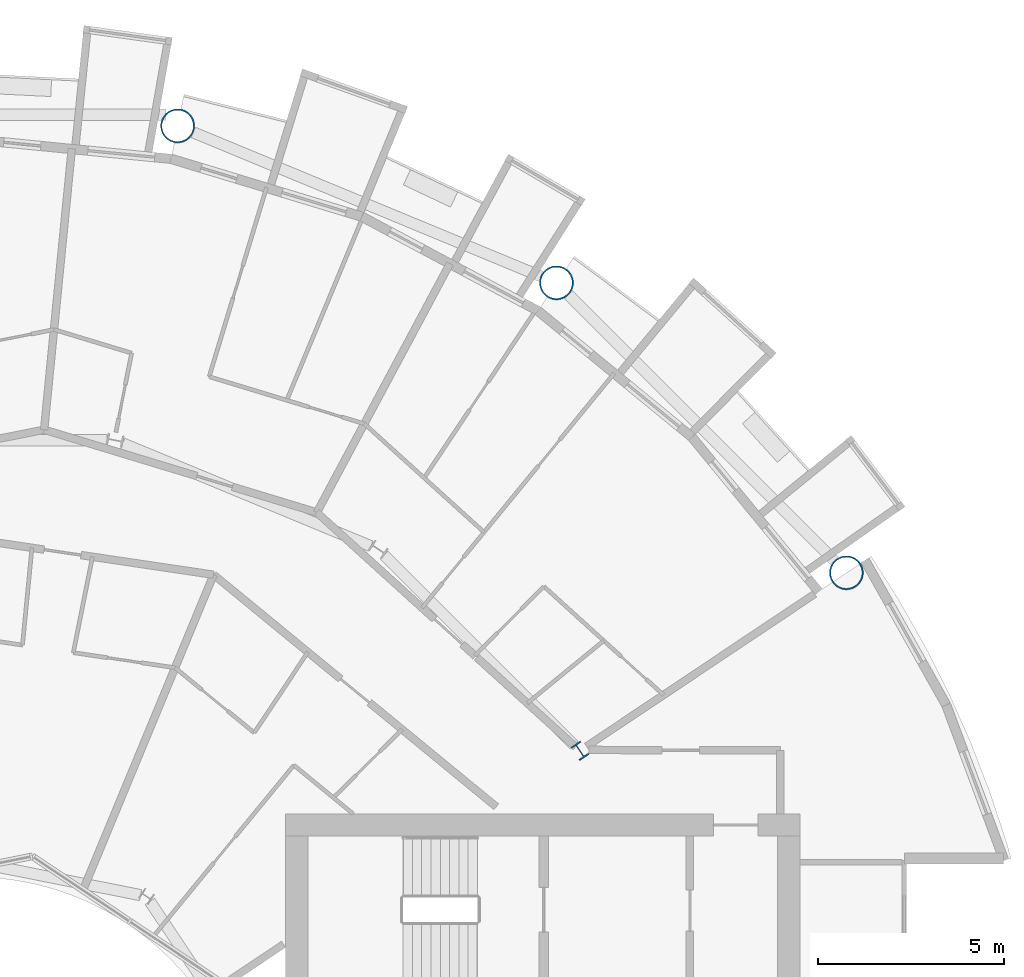
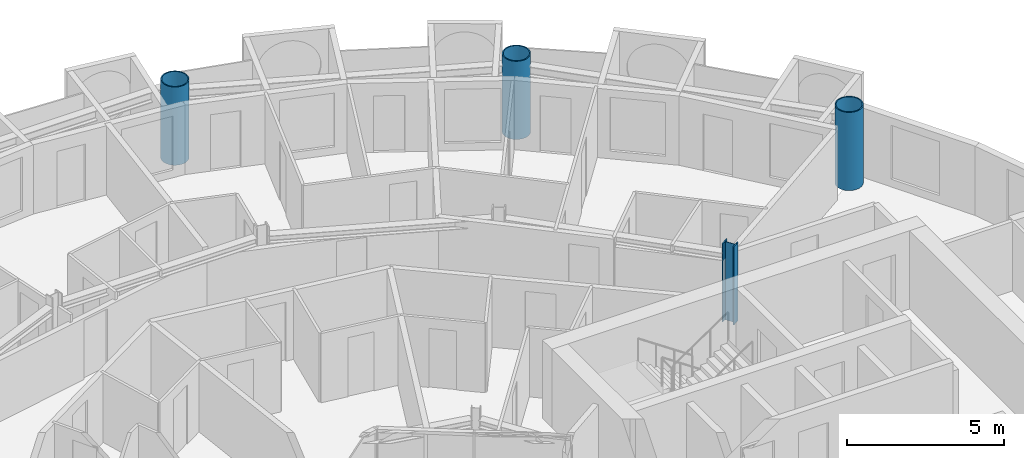
# One storey, part 4 of 28: 4 columns.
"""IFC4 building model written with IfcOpenShell, lengths in metres."""

from ifc_helpers import new_model, si_unit, direction, frame, origin, origin_2d, place, context, subcontext, project, spatial, hollow_circle, i_section, extrude, material, material_profile, profile_set, type_object, element, save


model = new_model("IFC4")

# Units and contexts
model_context = context("Model", 3, precision=1e-05, world=origin(), true_north=direction((0.0, 1.0)))
body_context = subcontext(model_context, "Body", "Model", "MODEL_VIEW")
ifc_project = project(units=[si_unit("LENGTHUNIT", "METRE"), si_unit("AREAUNIT", "SQUARE_METRE"), si_unit("VOLUMEUNIT", "CUBIC_METRE"), si_unit("PLANEANGLEUNIT", "RADIAN"), si_unit("MASSUNIT", "GRAM", prefix="KILO")], contexts=[model_context])

# Site, building, storey
site_placement = place(None, origin())
site = spatial("IfcSite", under=ifc_project, at=site_placement, CompositionType="ELEMENT")
building_placement = place(site_placement, origin())
building = spatial("IfcBuilding", under=site, at=building_placement, Name="Maasbend Ring Residences", CompositionType="ELEMENT")
storey_placement = place(building_placement, frame((0.0, 0.0, 133.0)))
storey = spatial("IfcBuildingStorey", under=building, at=storey_placement, Name="L38", CompositionType="ELEMENT", Elevation=133.0)

# Columns
ifc_material_1 = material(Name="Composite concrete-filled steel tube S460NH / C80/95", Category="concrete")
ifc_material_profile_1 = material_profile(ifc_material_1, hollow_circle(Radius=0.45703125, WallThickness=0.0400390625, at=origin_2d()), Name="Composite tube column CHS 914x40")
ifc_profile_set_1 = profile_set([ifc_material_profile_1], Name="Composite concrete-filled steel tube S460NH / C80/95")
column_type_1 = type_object("IfcColumnType", Name="Composite tube column CHS 914x40", PredefinedType="COLUMN", material=ifc_profile_set_1)
for number, where, z_axis, x_axis, name in (
    (1, (23.447509765625, 15.6669921875, 0.0), (0.0, 0.0, 1.0), (1.0, 0.0, 0.0), "Outer column R2"),
    (2, (15.6669921875, 23.447509765625, 0.0), (0.0, 0.0, 1.0), (1.0, 0.0, 0.0), "Outer column R3"),
    (3, (5.50146484375, 27.658203125, 0.0), (0.0, 0.0, 1.0), (1.0, 0.0, 0.0), "Outer column R4"),
):
    element("IfcColumn", number, at=place(storey_placement, frame(where, z_axis=z_axis, x_axis=x_axis)), inside=storey, type_object=column_type_1, Name=name, PredefinedType="COLUMN", context=body_context, shape_type="SweptSolid", body=[
        extrude(hollow_circle(Radius=0.45703125, WallThickness=0.0400390625, at=origin_2d()), origin(), (0.0, 0.0, 1.0), 3.050048828125),
    ])
ifc_material_2 = material(Name="Steel S460M", Category="steel")
ifc_material_profile_2 = material_profile(ifc_material_2, i_section(OverallWidth=0.306884765625, OverallDepth=0.431884765625, WebThickness=0.02099609375, FlangeThickness=0.0400390625, FilletRadius=0.027099609375, at=origin_2d()), Name="HEM 400")
ifc_profile_set_2 = profile_set([ifc_material_profile_2], Name="Steel S460M")
column_type_2 = type_object("IfcColumnType", Name="Steel column HEM 400", PredefinedType="COLUMN", material=ifc_profile_set_2)
column_placement = place(storey_placement, frame((16.296875, 10.88916015625, 0.0), z_axis=(0.0, 0.0, 1.0), x_axis=(0.831469612303, 0.55557023302, 0.0)))
element("IfcColumn", 4, at=column_placement, inside=storey, type_object=column_type_2, Name="Corridor ring column R2", PredefinedType="COLUMN", context=body_context, shape_type="SweptSolid", body=[
    extrude(i_section(OverallWidth=0.306884765625, OverallDepth=0.431884765625, WebThickness=0.02099609375, FlangeThickness=0.0400390625, FilletRadius=0.027099609375, at=origin_2d()), origin(), (0.0, 0.0, 1.0), 3.050048828125),
])

save(model, "model.ifc")
